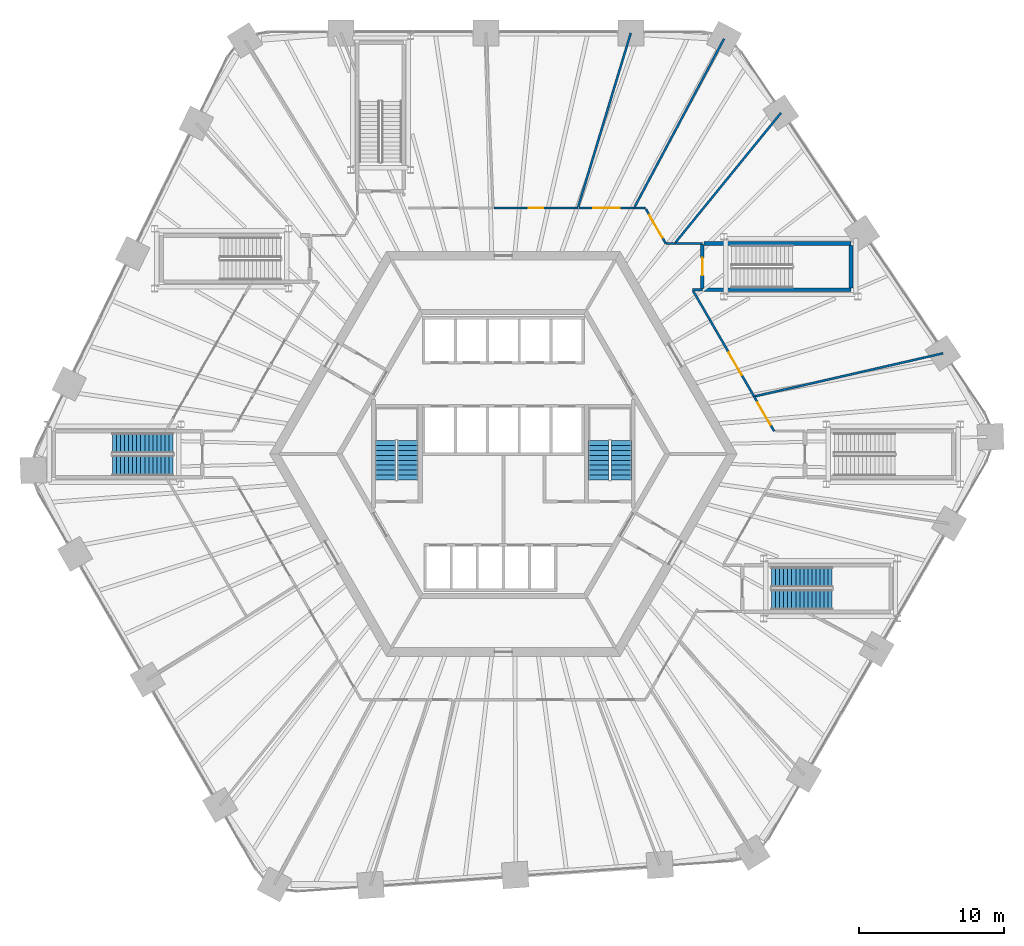
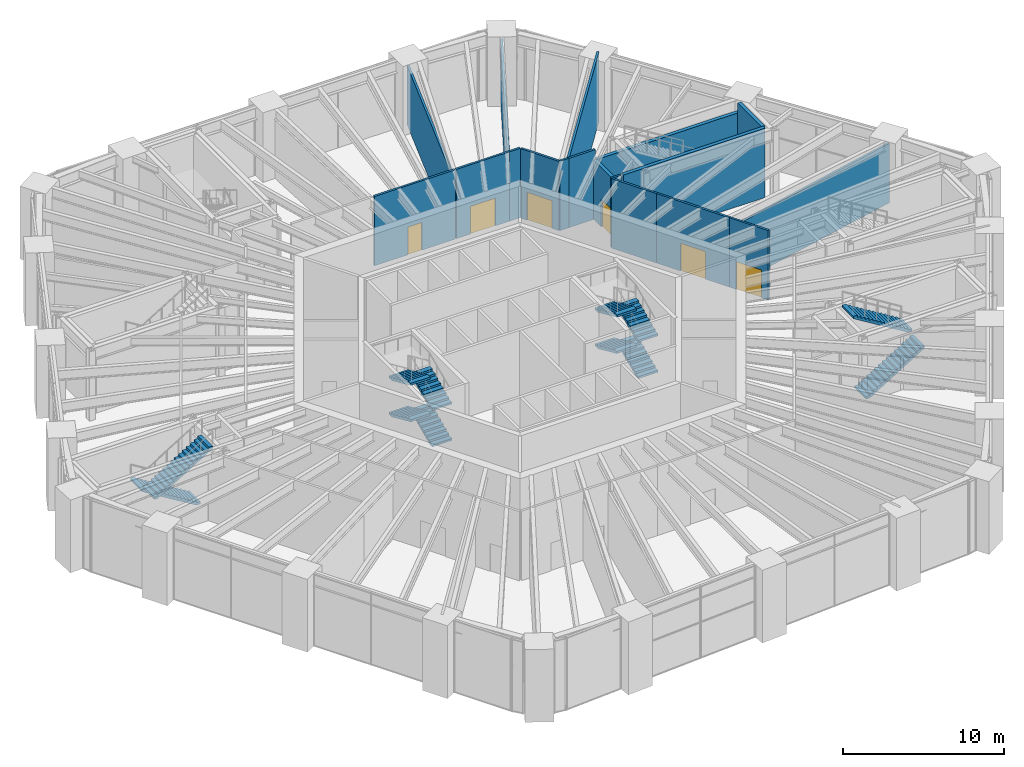
# One storey, part 25 of 30: 18 walls, 12 stair flights, 6 doors, 6 openings, 4 elements without a shape of their own.
"""IFC4 building model written with IfcOpenShell, lengths in metres."""

from ifc_helpers import new_model, si_unit, direction, frame, frame_2d, origin, place, context, subcontext, project, spatial, polyline, rectangle, outline, extrude, material, layer, layer_set, type_object, element, fill, aggregate, save


model = new_model("IFC4")

# Units and contexts
model_context = context("Model", 3, precision=1e-05, world=origin(), true_north=direction((0.0, 1.0)))
body_context = subcontext(model_context, "Body", "Model", "MODEL_VIEW")
ifc_project = project(units=[si_unit("LENGTHUNIT", "METRE"), si_unit("AREAUNIT", "SQUARE_METRE"), si_unit("VOLUMEUNIT", "CUBIC_METRE"), si_unit("PLANEANGLEUNIT", "RADIAN"), si_unit("MASSUNIT", "GRAM", prefix="KILO")], contexts=[model_context])

# Site, building, storey
site_placement = place(None, origin())
site = spatial("IfcSite", under=ifc_project, at=site_placement, CompositionType="ELEMENT")
building_placement = place(site_placement, origin())
building = spatial("IfcBuilding", under=site, at=building_placement, Name="Tarnside Tower", CompositionType="ELEMENT")
storey_placement = place(building_placement, frame((0.0, 0.0, 15.0)))
storey = spatial("IfcBuildingStorey", under=building, at=storey_placement, Name="L02", CompositionType="ELEMENT", Elevation=15.0)

# Wall, opening, door
ifc_material_1 = material(Name="Gypsum board")
ifc_layer_1 = layer(ifc_material_1, 0.14990234375)
ifc_layer_set_1 = layer_set([ifc_layer_1], Name="Partition 150 gypsum board on metal stud")
wall_type_1 = type_object("IfcWallType", Name="Partition 150 gypsum board on metal stud", PredefinedType="PARTITIONING", material=ifc_layer_set_1)
wall_1_placement = place(storey_placement, frame((-0.633056640625, 17.0, 0.0), z_axis=(0.0, 0.0, 1.0), x_axis=(1.0, 0.0, 0.0)))
wall_1 = element("IfcWall", 1, at=wall_1_placement, inside=storey, type_object=wall_type_1, Name="Partition 047", PredefinedType="PARTITIONING", context=body_context, shape_type="SweptSolid", body=[
    extrude(rectangle(XDim=5.781005859375, YDim=0.14990234375, at=frame_2d((2.890625, 0.0))), origin(), (0.0, 0.0, 1.0), 5.25),
])
opening_1_placement = place(wall_1_placement, frame((2.390380859375, 0.0, 0.0)))
opening_1 = element("IfcOpeningElement", 2, at=opening_1_placement, cuts=wall_1, Name="Opening D1000F30", PredefinedType="OPENING", context=body_context, shape_type="SweptSolid", body=[
    extrude(rectangle(XDim=1.0, YDim=2.10009765625, at=frame_2d((0.5, 1.050048828125))), frame((0.0, 0.0849609375, 0.0), z_axis=(0.0, -1.0, 0.0), x_axis=(1.0, 0.0, 0.0)), (0.0, 0.0, 1.0), 0.169921875),
])
ifc_material_2 = material(Name="Timber door leaf", Category="wood")
door_type_1 = type_object("IfcDoorType", Name="Door 1000 x 2100 single leaf FD30S fire door", OperationType="NOTDEFINED", PredefinedType="DOOR", material=ifc_material_2)
door_1_placement = place(opening_1_placement, origin())
door_1 = element("IfcDoor", 3, at=door_1_placement, inside=storey, type_object=door_type_1, Name="Door L02-23", OperationType="SINGLE_SWING_RIGHT", OverallHeight=2.10009765625, OverallWidth=1.0, PredefinedType="DOOR", context=body_context, shape_type="SweptSolid", body=[
    extrude(rectangle(XDim=1.0, YDim=2.10009765625, at=frame_2d((0.5, 1.050048828125))), frame((0.0, 0.02490234375, 0.0), z_axis=(0.0, -1.0, 0.0), x_axis=(1.0, 0.0, 0.0)), (0.0, 0.0, 1.0), 0.050048828125),
])
fill(opening_1, door_1)

# Wall
wall_2_placement = place(storey_placement, frame((5.170654296875, 17.074951171875, 0.0), z_axis=(0.0, 0.0, 1.0), x_axis=(0.289887131616, 0.957060839719, 0.0)))
element("IfcWall", 4, at=wall_2_placement, inside=storey, type_object=wall_type_1, Name="Partition 048", PredefinedType="PARTITIONING", context=body_context, shape_type="SweptSolid", body=[
    extrude(rectangle(XDim=12.564697265625, YDim=0.14990234375, at=frame_2d((6.2822265625, 0.0))), origin(), (0.0, 0.0, 1.0), 4.49609375),
])

# Wall, opening, door
wall_3_placement = place(storey_placement, frame((5.226318359375, 17.0, 0.0), z_axis=(0.0, 0.0, 1.0), x_axis=(1.0, 0.0, 0.0)))
wall_3 = element("IfcWall", 5, at=wall_3_placement, inside=storey, type_object=wall_type_1, Name="Partition 050", PredefinedType="PARTITIONING", context=body_context, shape_type="SweptSolid", body=[
    extrude(rectangle(XDim=3.812744140625, YDim=0.14990234375, at=frame_2d((1.90625, 0.0))), origin(), (0.0, 0.0, 1.0), 5.25),
])
opening_2_placement = place(wall_3_placement, frame((1.00634765625, 0.0, 0.0)))
opening_2 = element("IfcOpeningElement", 6, at=opening_2_placement, cuts=wall_3, Name="Opening D1800F30", PredefinedType="OPENING", context=body_context, shape_type="SweptSolid", body=[
    extrude(rectangle(XDim=1.800048828125, YDim=2.10009765625, at=frame_2d((0.89990234375, 1.050048828125))), frame((0.0, 0.0849609375, 0.0), z_axis=(0.0, -1.0, 0.0), x_axis=(1.0, 0.0, 0.0)), (0.0, 0.0, 1.0), 0.169921875),
])
door_type_2 = type_object("IfcDoorType", Name="Door pair 1800 x 2100 FD30S fire door", OperationType="NOTDEFINED", PredefinedType="DOOR", material=ifc_material_2)
door_2_placement = place(opening_2_placement, origin())
door_2 = element("IfcDoor", 7, at=door_2_placement, inside=storey, type_object=door_type_2, Name="Door L02-25", OperationType="DOUBLE_DOOR_SINGLE_SWING", OverallHeight=2.10009765625, OverallWidth=1.800048828125, PredefinedType="DOOR", context=body_context, shape_type="SweptSolid", body=[
    extrude(rectangle(XDim=1.800048828125, YDim=2.10009765625, at=frame_2d((0.89990234375, 1.050048828125))), frame((0.0, 0.02490234375, 0.0), z_axis=(0.0, -1.0, 0.0), x_axis=(1.0, 0.0, 0.0)), (0.0, 0.0, 1.0), 0.050048828125),
])
fill(opening_2, door_2)

# Wall
wall_4_placement = place(storey_placement, frame((9.81494140625, 17.0, 0.0), z_axis=(0.0, 0.0, 1.0), x_axis=(-1.0, 0.0, 0.0)))
element("IfcWall", 8, at=wall_4_placement, inside=storey, type_object=wall_type_1, Name="Partition 052", PredefinedType="PARTITIONING", context=body_context, shape_type="SweptSolid", body=[
    extrude(rectangle(XDim=0.77587890625, YDim=0.14990234375, at=frame_2d((0.387939453125, 0.0))), origin(), (0.0, 0.0, 1.0), 5.25),
])

# Wall, opening, door
wall_5_placement = place(storey_placement, frame((9.8583984375, 16.925048828125, 0.0), z_axis=(0.0, 0.0, 1.0), x_axis=(0.499835495421, -0.866120359718, 0.0)))
wall_5 = element("IfcWall", 9, at=wall_5_placement, inside=storey, type_object=wall_type_1, Name="Partition 055", PredefinedType="PARTITIONING", context=body_context, shape_type="SweptSolid", body=[
    extrude(rectangle(XDim=2.7421875, YDim=0.14990234375, at=frame_2d((1.37109375, 0.0))), origin(), (0.0, 0.0, 1.0), 5.25),
])
opening_3_placement = place(wall_5_placement, frame((0.47119140625, 0.0, 0.0)))
opening_3 = element("IfcOpeningElement", 10, at=opening_3_placement, cuts=wall_5, Name="Opening D1800F30", PredefinedType="OPENING", context=body_context, shape_type="SweptSolid", body=[
    extrude(rectangle(XDim=1.800048828125, YDim=2.10009765625, at=frame_2d((0.89990234375, 1.050048828125))), frame((0.0, 0.0849609375, 0.0), z_axis=(0.0, -1.0, 0.0), x_axis=(1.0, 0.0, 0.0)), (0.0, 0.0, 1.0), 0.169921875),
])
door_3_placement = place(opening_3_placement, origin())
door_3 = element("IfcDoor", 11, at=door_3_placement, inside=storey, type_object=door_type_2, Name="Door L02-27", OperationType="DOUBLE_DOOR_SINGLE_SWING", OverallHeight=2.10009765625, OverallWidth=1.800048828125, PredefinedType="DOOR", context=body_context, shape_type="SweptSolid", body=[
    extrude(rectangle(XDim=1.800048828125, YDim=2.10009765625, at=frame_2d((0.89990234375, 1.050048828125))), frame((0.0, 0.02490234375, 0.0), z_axis=(0.0, -1.0, 0.0), x_axis=(1.0, 0.0, 0.0)), (0.0, 0.0, 1.0), 0.050048828125),
])
fill(opening_3, door_3)

# Walls
wall_6_placement = place(storey_placement, frame((11.22998046875, 14.550048828125, 0.0), z_axis=(0.0, 0.0, 1.0), x_axis=(1.0, 0.0, 0.0)))
element("IfcWall", 12, at=wall_6_placement, inside=storey, type_object=wall_type_1, Name="Partition 056", PredefinedType="PARTITIONING", context=body_context, shape_type="SweptSolid", body=[
    extrude(rectangle(XDim=0.62890625, YDim=0.14990234375, at=frame_2d((0.314453125, 0.0))), origin(), (0.0, 0.0, 1.0), 5.25),
])
wall_7_placement = place(storey_placement, frame((11.8359375, 14.550048828125, 0.0), z_axis=(0.0, 0.0, 1.0), x_axis=(1.0, 0.0, 0.0)))
element("IfcWall", 13, at=wall_7_placement, inside=storey, type_object=wall_type_1, Name="Partition 057", PredefinedType="PARTITIONING", context=body_context, shape_type="SweptSolid", body=[
    extrude(rectangle(XDim=1.928955078125, YDim=0.14990234375, at=frame_2d((0.96435546875, 0.0))), origin(), (0.0, 0.0, 1.0), 5.25),
])
wall_8_placement = place(storey_placement, frame((13.764892578125, 11.35009765625, 0.0), z_axis=(0.0, 0.0, 1.0), x_axis=(-1.0, 0.0, 0.0)))
element("IfcWall", 14, at=wall_8_placement, inside=storey, type_object=wall_type_1, Name="Partition 059", PredefinedType="PARTITIONING", context=body_context, shape_type="SweptSolid", body=[
    extrude(rectangle(XDim=0.68798828125, YDim=0.14990234375, at=frame_2d((0.343994140625, 0.0))), origin(), (0.0, 0.0, 1.0), 5.25),
])
wall_9_placement = place(storey_placement, frame((14.722900390625, 8.5, 0.0), z_axis=(0.0, 0.0, 1.0), x_axis=(-0.500104956678, 0.865964798538, 0.0)))
element("IfcWall", 15, at=wall_9_placement, inside=storey, type_object=wall_type_1, Name="Partition 062", PredefinedType="PARTITIONING", context=body_context, shape_type="SweptSolid", body=[
    extrude(rectangle(XDim=3.204345703125, YDim=0.14990234375, at=frame_2d((1.60205078125, 0.0))), origin(), (0.0, 0.0, 1.0), 5.25),
])
wall_10_placement = place(storey_placement, frame((15.260986328125, 28.700927734375, 0.0), z_axis=(0.0, 0.0, 1.0), x_axis=(-0.469500426527, -0.882932245131, 0.0)))
element("IfcWall", 16, at=wall_10_placement, inside=storey, type_object=wall_type_1, Name="Partition 065", PredefinedType="PARTITIONING", context=body_context, shape_type="SweptSolid", body=[
    extrude(rectangle(XDim=13.16748046875, YDim=0.14990234375, at=frame_2d((6.583740234375, 0.0))), origin(), (0.0, 0.0, 1.0), 4.48779296875),
])

# Wall, opening, door
wall_11_placement = place(storey_placement, frame((14.722900390625, 8.5, 0.0), z_axis=(0.0, 0.0, 1.0), x_axis=(0.499952654668, -0.866052736899, 0.0)))
wall_11 = element("IfcWall", 17, at=wall_11_placement, inside=storey, type_object=wall_type_1, Name="Partition 070", PredefinedType="PARTITIONING", context=body_context, shape_type="SweptSolid", body=[
    extrude(rectangle(XDim=5.23291015625, YDim=0.14990234375, at=frame_2d((2.616455078125, 0.0))), origin(), (0.0, 0.0, 1.0), 5.25),
])
opening_4_placement = place(wall_11_placement, frame((1.71630859375, 0.0, 0.0)))
opening_4 = element("IfcOpeningElement", 18, at=opening_4_placement, cuts=wall_11, Name="Opening D1800F30", PredefinedType="OPENING", context=body_context, shape_type="SweptSolid", body=[
    extrude(rectangle(XDim=1.800048828125, YDim=2.10009765625, at=frame_2d((0.89990234375, 1.050048828125))), frame((0.0, 0.0849609375, 0.0), z_axis=(0.0, -1.0, 0.0), x_axis=(1.0, 0.0, 0.0)), (0.0, 0.0, 1.0), 0.169921875),
])
door_4_placement = place(opening_4_placement, origin())
door_4 = element("IfcDoor", 19, at=door_4_placement, inside=storey, type_object=door_type_2, Name="Door L02-32", OperationType="DOUBLE_DOOR_SINGLE_SWING", OverallHeight=2.10009765625, OverallWidth=1.800048828125, PredefinedType="DOOR", context=body_context, shape_type="SweptSolid", body=[
    extrude(rectangle(XDim=1.800048828125, YDim=2.10009765625, at=frame_2d((0.89990234375, 1.050048828125))), frame((0.0, 0.02490234375, 0.0), z_axis=(0.0, -1.0, 0.0), x_axis=(1.0, 0.0, 0.0)), (0.0, 0.0, 1.0), 0.050048828125),
])
fill(opening_4, door_4)

wall_12_placement = place(storey_placement, frame((17.339111328125, 3.968017578125, 0.0), z_axis=(0.0, 0.0, 1.0), x_axis=(0.500053847239, -0.865994312834, 0.0)))
wall_12 = element("IfcWall", 20, at=wall_12_placement, inside=storey, type_object=wall_type_1, Name="Partition 072", PredefinedType="PARTITIONING", context=body_context, shape_type="SweptSolid", body=[
    extrude(rectangle(XDim=2.763427734375, YDim=0.14990234375, at=frame_2d((1.3818359375, 0.0))), origin(), (0.0, 0.0, 1.0), 5.25),
])
opening_5_placement = place(wall_12_placement, frame((0.481689453125, 0.0, 0.0)))
opening_5 = element("IfcOpeningElement", 21, at=opening_5_placement, cuts=wall_12, Name="Opening D1800F30", PredefinedType="OPENING", context=body_context, shape_type="SweptSolid", body=[
    extrude(rectangle(XDim=1.800048828125, YDim=2.10009765625, at=frame_2d((0.89990234375, 1.050048828125))), frame((0.0, 0.0849609375, 0.0), z_axis=(0.0, -1.0, 0.0), x_axis=(1.0, 0.0, 0.0)), (0.0, 0.0, 1.0), 0.169921875),
])
door_5_placement = place(opening_5_placement, origin())
door_5 = element("IfcDoor", 22, at=door_5_placement, inside=storey, type_object=door_type_2, Name="Door L02-33", OperationType="DOUBLE_DOOR_SINGLE_SWING", OverallHeight=2.10009765625, OverallWidth=1.800048828125, PredefinedType="DOOR", context=body_context, shape_type="SweptSolid", body=[
    extrude(rectangle(XDim=1.800048828125, YDim=2.10009765625, at=frame_2d((0.89990234375, 1.050048828125))), frame((0.0, 0.02490234375, 0.0), z_axis=(0.0, -1.0, 0.0), x_axis=(1.0, 0.0, 0.0)), (0.0, 0.0, 1.0), 0.050048828125),
])
fill(opening_5, door_5)

# Walls
wall_13_placement = place(storey_placement, frame((19.197021484375, 23.577880859375, 0.0), z_axis=(0.0, 0.0, 1.0), x_axis=(-0.631417805909, -0.775442811805, 0.0)))
element("IfcWall", 23, at=wall_13_placement, inside=storey, type_object=wall_type_1, Name="Partition 074", PredefinedType="PARTITIONING", context=body_context, shape_type="SweptSolid", body=[
    extrude(rectangle(XDim=11.54541015625, YDim=0.14990234375, at=frame_2d((5.772705078125, 0.0))), origin(), (0.0, 0.0, 1.0), 5.25),
])
wall_14_placement = place(storey_placement, frame((30.406982421875, 6.9580078125, 0.0), z_axis=(0.0, 0.0, 1.0), x_axis=(-0.974810618682, -0.223034207477, 0.0)))
element("IfcWall", 24, at=wall_14_placement, inside=storey, type_object=wall_type_1, Name="Partition 085", PredefinedType="PARTITIONING", context=body_context, shape_type="SweptSolid", body=[
    extrude(rectangle(XDim=13.3271484375, YDim=0.14990234375, at=frame_2d((6.66357421875, 0.0))), origin(), (0.0, 0.0, 1.0), 4.48779296875),
])

# Wall, opening, door
ifc_material_3 = material(Name="Concrete C32/40", Category="concrete")
ifc_layer_2 = layer(ifc_material_3, 0.25)
ifc_layer_set_2 = layer_set([ifc_layer_2], Name="Wall 250 reinforced Concrete C32/40")
wall_type_2 = type_object("IfcWallType", Name="Wall 250 reinforced Concrete C32/40", PredefinedType="PARTITIONING", material=ifc_layer_set_2)
wall_15_placement = place(storey_placement, frame((13.764892578125, 11.425048828125, 0.0), z_axis=(0.0, 0.0, 1.0), x_axis=(0.0, 1.0, 0.0)))
wall_15 = element("IfcWall", 25, at=wall_15_placement, inside=storey, type_object=wall_type_2, Name="Partition 060", PredefinedType="PARTITIONING", context=body_context, shape_type="SweptSolid", body=[
    extrude(rectangle(XDim=3.050048828125, YDim=0.25, at=frame_2d((1.52490234375, 0.0))), origin(), (0.0, 0.0, 1.0), 4.49609375),
])
opening_6_placement = place(wall_15_placement, frame((0.925048828125, 0.0, 0.0)))
opening_6 = element("IfcOpeningElement", 26, at=opening_6_placement, cuts=wall_15, Name="Opening D1200F60S", PredefinedType="OPENING", context=body_context, shape_type="SweptSolid", body=[
    extrude(rectangle(XDim=1.199951171875, YDim=2.10009765625, at=frame_2d((0.60009765625, 1.050048828125))), frame((0.0, 0.135009765625, 0.0), z_axis=(0.0, -1.0, 0.0), x_axis=(1.0, 0.0, 0.0)), (0.0, 0.0, 1.0), 0.27001953125),
])
door_type_3 = type_object("IfcDoorType", Name="Door 1200 x 2100 single leaf FD60S fire door", OperationType="NOTDEFINED", PredefinedType="DOOR", material=ifc_material_2)
door_6_placement = place(opening_6_placement, origin())
door_6 = element("IfcDoor", 27, at=door_6_placement, inside=storey, type_object=door_type_3, Name="Door L02-28", OperationType="SINGLE_SWING_LEFT", OverallHeight=2.10009765625, OverallWidth=1.199951171875, PredefinedType="DOOR", context=body_context, shape_type="SweptSolid", body=[
    extrude(rectangle(XDim=1.199951171875, YDim=2.10009765625, at=frame_2d((0.60009765625, 1.050048828125))), frame((0.0, 0.02490234375, 0.0), z_axis=(0.0, -1.0, 0.0), x_axis=(1.0, 0.0, 0.0)), (0.0, 0.0, 1.0), 0.050048828125),
])
fill(opening_6, door_6)

# Walls
wall_16_placement = place(storey_placement, frame((13.889892578125, 14.550048828125, 0.0), z_axis=(0.0, 0.0, 1.0), x_axis=(1.0, 0.0, 0.0)))
element("IfcWall", 28, at=wall_16_placement, inside=storey, type_object=wall_type_2, Name="Partition 061", PredefinedType="PARTITIONING", context=body_context, shape_type="SweptSolid", body=[
    extrude(rectangle(XDim=10.14501953125, YDim=0.25, at=frame_2d((5.072509765625, 0.0))), origin(), (0.0, 0.0, 1.0), 4.49609375),
])
wall_17_placement = place(storey_placement, frame((24.034912109375, 11.35009765625, 0.0), z_axis=(0.0, 0.0, 1.0), x_axis=(-1.0, 0.0, 0.0)))
element("IfcWall", 29, at=wall_17_placement, inside=storey, type_object=wall_type_2, Name="Partition 080", PredefinedType="PARTITIONING", context=body_context, shape_type="SweptSolid", body=[
    extrude(rectangle(XDim=10.14501953125, YDim=0.25, at=frame_2d((5.072509765625, 0.0))), origin(), (0.0, 0.0, 1.0), 5.25),
])
wall_18_placement = place(storey_placement, frame((24.034912109375, 14.425048828125, 0.0), z_axis=(0.0, 0.0, 1.0), x_axis=(0.0, -1.0, 0.0)))
element("IfcWall", 30, at=wall_18_placement, inside=storey, type_object=wall_type_2, Name="Partition 081", PredefinedType="PARTITIONING", context=body_context, shape_type="SweptSolid", body=[
    extrude(rectangle(XDim=2.949951171875, YDim=0.25, at=frame_2d((1.47509765625, 0.0))), origin(), (0.0, 0.0, 1.0), 5.25),
])

# Stair, stair flights
ifc_material_4 = material(Name="Concrete C40/50", Category="concrete")
stair_type_1 = type_object("IfcStairType", Name="Exit stair 1400 clear", PredefinedType="HALF_TURN_STAIR", material=ifc_material_4)
stair_1_placement = place(storey_placement, origin())
stair_1 = element("IfcStair", 31, at=stair_1_placement, inside=storey, type_object=stair_type_1, Name="L02 Exit stair 1", PredefinedType="HALF_TURN_STAIR")
stair_flight_type_1 = type_object("IfcStairFlightType", Name="Exit stair flight 1400", PredefinedType="STRAIGHT", material=ifc_material_4)
stair_flight_1_placement = place(storey_placement, frame((8.14990234375, -1.800048828125, 0.0), z_axis=(0.0, 0.0, 1.0), x_axis=(0.0, 1.0, 0.0)))
stair_flight_1 = element("IfcStairFlight", 32, at=stair_flight_1_placement, type_object=stair_flight_type_1, Name="ST1 flight 1", NumberOfRisers=9, NumberOfTreads=8, PredefinedType="STRAIGHT", RiserHeight=0.152777778, TreadLength=0.34, context=body_context, shape_type="SweptSolid", body=[
    extrude(outline(polyline([(0.0, 0.0), (0.0, 0.15283203125), (0.340087890625, 0.15283203125), (0.340087890625, 0.3056640625), (0.679931640625, 0.3056640625), (0.679931640625, 0.458251953125), (1.02001953125, 0.458251953125), (1.02001953125, 0.611083984375), (1.360107421875, 0.611083984375), (1.360107421875, 0.763916015625), (1.699951171875, 0.763916015625), (1.699951171875, 0.916748046875), (2.0400390625, 0.916748046875), (2.0400390625, 1.0693359375), (2.3798828125, 1.0693359375), (2.3798828125, 1.22216796875), (2.719970703125, 1.22216796875), (2.719970703125, 1.375), (2.719970703125, 1.057861328125), (0.36572265625, 0.0), (0.0, 0.0)])), frame((0.0, 0.699951171875, 0.0), z_axis=(0.0, -1.0, 0.0), x_axis=(1.0, 0.0, 0.0)), (0.0, 0.0, 1.0), 1.39990234375),
])
stair_flight_2_placement = place(storey_placement, frame((6.60009765625, 0.919921875, 1.375), z_axis=(0.0, 0.0, 1.0), x_axis=(0.0, -1.0, 0.0)))
stair_flight_2 = element("IfcStairFlight", 33, at=stair_flight_2_placement, type_object=stair_flight_type_1, Name="ST1 flight 2", NumberOfRisers=9, NumberOfTreads=8, PredefinedType="STRAIGHT", RiserHeight=0.152777778, TreadLength=0.34, context=body_context, shape_type="SweptSolid", body=[
    extrude(outline(polyline([(0.0, 0.0), (0.0, 0.15283203125), (0.340087890625, 0.15283203125), (0.340087890625, 0.3056640625), (0.679931640625, 0.3056640625), (0.679931640625, 0.458251953125), (1.02001953125, 0.458251953125), (1.02001953125, 0.611083984375), (1.360107421875, 0.611083984375), (1.360107421875, 0.763916015625), (1.699951171875, 0.763916015625), (1.699951171875, 0.916748046875), (2.0400390625, 0.916748046875), (2.0400390625, 1.0693359375), (2.3798828125, 1.0693359375), (2.3798828125, 1.22216796875), (2.719970703125, 1.22216796875), (2.719970703125, 1.375), (2.719970703125, 1.057861328125), (0.36572265625, 0.0), (0.0, 0.0)])), frame((0.0, 0.699951171875, 0.0), z_axis=(0.0, -1.0, 0.0), x_axis=(1.0, 0.0, 0.0)), (0.0, 0.0, 1.0), 1.39990234375),
])
stair_flight_3_placement = place(storey_placement, frame((8.14990234375, -1.800048828125, 2.75), z_axis=(0.0, 0.0, 1.0), x_axis=(0.0, 1.0, 0.0)))
stair_flight_3 = element("IfcStairFlight", 34, at=stair_flight_3_placement, type_object=stair_flight_type_1, Name="ST1 flight 3", NumberOfRisers=9, NumberOfTreads=8, PredefinedType="STRAIGHT", RiserHeight=0.152777778, TreadLength=0.34, context=body_context, shape_type="SweptSolid", body=[
    extrude(outline(polyline([(0.0, 0.0), (0.0, 0.15283203125), (0.340087890625, 0.15283203125), (0.340087890625, 0.3056640625), (0.679931640625, 0.3056640625), (0.679931640625, 0.458251953125), (1.02001953125, 0.458251953125), (1.02001953125, 0.611083984375), (1.360107421875, 0.611083984375), (1.360107421875, 0.763916015625), (1.699951171875, 0.763916015625), (1.699951171875, 0.916748046875), (2.0400390625, 0.916748046875), (2.0400390625, 1.0693359375), (2.3798828125, 1.0693359375), (2.3798828125, 1.22216796875), (2.719970703125, 1.22216796875), (2.719970703125, 1.375), (2.719970703125, 1.057861328125), (0.36572265625, 0.0), (0.0, 0.0)])), frame((0.0, 0.699951171875, 0.0), z_axis=(0.0, -1.0, 0.0), x_axis=(1.0, 0.0, 0.0)), (0.0, 0.0, 1.0), 1.39990234375),
])
stair_flight_4_placement = place(storey_placement, frame((6.60009765625, 0.919921875, 4.125), z_axis=(0.0, 0.0, 1.0), x_axis=(0.0, -1.0, 0.0)))
stair_flight_4 = element("IfcStairFlight", 35, at=stair_flight_4_placement, type_object=stair_flight_type_1, Name="ST1 flight 4", NumberOfRisers=9, NumberOfTreads=8, PredefinedType="STRAIGHT", RiserHeight=0.152777778, TreadLength=0.34, context=body_context, shape_type="SweptSolid", body=[
    extrude(outline(polyline([(0.0, 0.0), (0.0, 0.15283203125), (0.340087890625, 0.15283203125), (0.340087890625, 0.3056640625), (0.679931640625, 0.3056640625), (0.679931640625, 0.458251953125), (1.02001953125, 0.458251953125), (1.02001953125, 0.611083984375), (1.360107421875, 0.611083984375), (1.360107421875, 0.763916015625), (1.699951171875, 0.763916015625), (1.699951171875, 0.916748046875), (2.0400390625, 0.916748046875), (2.0400390625, 1.0693359375), (2.3798828125, 1.0693359375), (2.3798828125, 1.22216796875), (2.719970703125, 1.22216796875), (2.719970703125, 1.375), (2.719970703125, 1.057861328125), (0.36572265625, 0.0), (0.0, 0.0)])), frame((0.0, 0.699951171875, 0.0), z_axis=(0.0, -1.0, 0.0), x_axis=(1.0, 0.0, 0.0)), (0.0, 0.0, 1.0), 1.39990234375),
])
aggregate(stair_1, [stair_flight_1, stair_flight_2, stair_flight_3, stair_flight_4])

stair_2_placement = place(storey_placement, origin())
stair_2 = element("IfcStair", 36, at=stair_2_placement, inside=storey, type_object=stair_type_1, Name="L02 Exit stair 2", PredefinedType="HALF_TURN_STAIR")
stair_flight_5_placement = place(storey_placement, frame((-6.60009765625, -1.800048828125, 0.0), z_axis=(0.0, 0.0, 1.0), x_axis=(0.0, 1.0, 0.0)))
stair_flight_5 = element("IfcStairFlight", 37, at=stair_flight_5_placement, type_object=stair_flight_type_1, Name="ST2 flight 1", NumberOfRisers=9, NumberOfTreads=8, PredefinedType="STRAIGHT", RiserHeight=0.152777778, TreadLength=0.34, context=body_context, shape_type="SweptSolid", body=[
    extrude(outline(polyline([(0.0, 0.0), (0.0, 0.15283203125), (0.340087890625, 0.15283203125), (0.340087890625, 0.3056640625), (0.679931640625, 0.3056640625), (0.679931640625, 0.458251953125), (1.02001953125, 0.458251953125), (1.02001953125, 0.611083984375), (1.360107421875, 0.611083984375), (1.360107421875, 0.763916015625), (1.699951171875, 0.763916015625), (1.699951171875, 0.916748046875), (2.0400390625, 0.916748046875), (2.0400390625, 1.0693359375), (2.3798828125, 1.0693359375), (2.3798828125, 1.22216796875), (2.719970703125, 1.22216796875), (2.719970703125, 1.375), (2.719970703125, 1.057861328125), (0.36572265625, 0.0), (0.0, 0.0)])), frame((0.0, 0.699951171875, 0.0), z_axis=(0.0, -1.0, 0.0), x_axis=(1.0, 0.0, 0.0)), (0.0, 0.0, 1.0), 1.39990234375),
])
stair_flight_6_placement = place(storey_placement, frame((-8.14990234375, 0.919921875, 1.375), z_axis=(0.0, 0.0, 1.0), x_axis=(0.0, -1.0, 0.0)))
stair_flight_6 = element("IfcStairFlight", 38, at=stair_flight_6_placement, type_object=stair_flight_type_1, Name="ST2 flight 2", NumberOfRisers=9, NumberOfTreads=8, PredefinedType="STRAIGHT", RiserHeight=0.152777778, TreadLength=0.34, context=body_context, shape_type="SweptSolid", body=[
    extrude(outline(polyline([(0.0, 0.0), (0.0, 0.15283203125), (0.340087890625, 0.15283203125), (0.340087890625, 0.3056640625), (0.679931640625, 0.3056640625), (0.679931640625, 0.458251953125), (1.02001953125, 0.458251953125), (1.02001953125, 0.611083984375), (1.360107421875, 0.611083984375), (1.360107421875, 0.763916015625), (1.699951171875, 0.763916015625), (1.699951171875, 0.916748046875), (2.0400390625, 0.916748046875), (2.0400390625, 1.0693359375), (2.3798828125, 1.0693359375), (2.3798828125, 1.22216796875), (2.719970703125, 1.22216796875), (2.719970703125, 1.375), (2.719970703125, 1.057861328125), (0.36572265625, 0.0), (0.0, 0.0)])), frame((0.0, 0.699951171875, 0.0), z_axis=(0.0, -1.0, 0.0), x_axis=(1.0, 0.0, 0.0)), (0.0, 0.0, 1.0), 1.39990234375),
])
stair_flight_7_placement = place(storey_placement, frame((-6.60009765625, -1.800048828125, 2.75), z_axis=(0.0, 0.0, 1.0), x_axis=(0.0, 1.0, 0.0)))
stair_flight_7 = element("IfcStairFlight", 39, at=stair_flight_7_placement, type_object=stair_flight_type_1, Name="ST2 flight 3", NumberOfRisers=9, NumberOfTreads=8, PredefinedType="STRAIGHT", RiserHeight=0.152777778, TreadLength=0.34, context=body_context, shape_type="SweptSolid", body=[
    extrude(outline(polyline([(0.0, 0.0), (0.0, 0.15283203125), (0.340087890625, 0.15283203125), (0.340087890625, 0.3056640625), (0.679931640625, 0.3056640625), (0.679931640625, 0.458251953125), (1.02001953125, 0.458251953125), (1.02001953125, 0.611083984375), (1.360107421875, 0.611083984375), (1.360107421875, 0.763916015625), (1.699951171875, 0.763916015625), (1.699951171875, 0.916748046875), (2.0400390625, 0.916748046875), (2.0400390625, 1.0693359375), (2.3798828125, 1.0693359375), (2.3798828125, 1.22216796875), (2.719970703125, 1.22216796875), (2.719970703125, 1.375), (2.719970703125, 1.057861328125), (0.36572265625, 0.0), (0.0, 0.0)])), frame((0.0, 0.699951171875, 0.0), z_axis=(0.0, -1.0, 0.0), x_axis=(1.0, 0.0, 0.0)), (0.0, 0.0, 1.0), 1.39990234375),
])
stair_flight_8_placement = place(storey_placement, frame((-8.14990234375, 0.919921875, 4.125), z_axis=(0.0, 0.0, 1.0), x_axis=(0.0, -1.0, 0.0)))
stair_flight_8 = element("IfcStairFlight", 40, at=stair_flight_8_placement, type_object=stair_flight_type_1, Name="ST2 flight 4", NumberOfRisers=9, NumberOfTreads=8, PredefinedType="STRAIGHT", RiserHeight=0.152777778, TreadLength=0.34, context=body_context, shape_type="SweptSolid", body=[
    extrude(outline(polyline([(0.0, 0.0), (0.0, 0.15283203125), (0.340087890625, 0.15283203125), (0.340087890625, 0.3056640625), (0.679931640625, 0.3056640625), (0.679931640625, 0.458251953125), (1.02001953125, 0.458251953125), (1.02001953125, 0.611083984375), (1.360107421875, 0.611083984375), (1.360107421875, 0.763916015625), (1.699951171875, 0.763916015625), (1.699951171875, 0.916748046875), (2.0400390625, 0.916748046875), (2.0400390625, 1.0693359375), (2.3798828125, 1.0693359375), (2.3798828125, 1.22216796875), (2.719970703125, 1.22216796875), (2.719970703125, 1.375), (2.719970703125, 1.057861328125), (0.36572265625, 0.0), (0.0, 0.0)])), frame((0.0, 0.699951171875, 0.0), z_axis=(0.0, -1.0, 0.0), x_axis=(1.0, 0.0, 0.0)), (0.0, 0.0, 1.0), 1.39990234375),
])
aggregate(stair_2, [stair_flight_5, stair_flight_6, stair_flight_7, stair_flight_8])

stair_type_2 = type_object("IfcStairType", Name="Podium exit stair 1400 clear", PredefinedType="HALF_TURN_STAIR", material=ifc_material_4)
stair_3_placement = place(storey_placement, origin())
stair_3 = element("IfcStair", 41, at=stair_3_placement, inside=storey, type_object=stair_type_2, Name="L02 Podium exit stair 2", PredefinedType="HALF_TURN_STAIR")
stair_flight_type_2 = type_object("IfcStairFlightType", Name="Podium exit stair flight 1400", PredefinedType="STRAIGHT", material=ifc_material_4)
stair_flight_9_placement = place(storey_placement, frame((-22.830078125, 0.75, 0.0), z_axis=(0.0, 0.0, 1.0), x_axis=(-1.0, 0.0, 0.0)))
stair_flight_9 = element("IfcStairFlight", 42, at=stair_flight_9_placement, type_object=stair_flight_type_2, Name="PS2 flight 1", NumberOfRisers=16, NumberOfTreads=15, PredefinedType="STRAIGHT", RiserHeight=0.171875, TreadLength=0.28, context=body_context, shape_type="SweptSolid", body=[
    extrude(outline(polyline([(0.0, 0.0), (0.0, 0.171875), (0.280029296875, 0.171875), (0.280029296875, 0.34375), (0.56005859375, 0.34375), (0.56005859375, 0.515625), (0.840087890625, 0.515625), (0.840087890625, 0.6875), (1.1201171875, 0.6875), (1.1201171875, 0.859375), (1.39990234375, 0.859375), (1.39990234375, 1.03125), (1.679931640625, 1.03125), (1.679931640625, 1.203125), (1.9599609375, 1.203125), (1.9599609375, 1.375), (2.239990234375, 1.375), (2.239990234375, 1.546875), (2.52001953125, 1.546875), (2.52001953125, 1.71875), (2.800048828125, 1.71875), (2.800048828125, 1.890625), (3.080078125, 1.890625), (3.080078125, 2.0625), (3.360107421875, 2.0625), (3.360107421875, 2.234375), (3.639892578125, 2.234375), (3.639892578125, 2.40625), (3.919921875, 2.40625), (3.919921875, 2.578125), (4.199951171875, 2.578125), (4.199951171875, 2.75), (4.199951171875, 2.40234375), (0.28662109375, 0.0), (0.0, 0.0)])), frame((0.0, 0.699951171875, 0.0), z_axis=(0.0, -1.0, 0.0), x_axis=(1.0, 0.0, 0.0)), (0.0, 0.0, 1.0), 1.39990234375),
])
stair_flight_10_placement = place(storey_placement, frame((-27.030029296875, -0.800048828125, 2.75), z_axis=(0.0, 0.0, 1.0), x_axis=(1.0, 0.0, 0.0)))
stair_flight_10 = element("IfcStairFlight", 43, at=stair_flight_10_placement, type_object=stair_flight_type_2, Name="PS2 flight 2", NumberOfRisers=16, NumberOfTreads=15, PredefinedType="STRAIGHT", RiserHeight=0.171875, TreadLength=0.28, context=body_context, shape_type="SweptSolid", body=[
    extrude(outline(polyline([(0.0, 0.0), (0.0, 0.171875), (0.280029296875, 0.171875), (0.280029296875, 0.34375), (0.56005859375, 0.34375), (0.56005859375, 0.515625), (0.840087890625, 0.515625), (0.840087890625, 0.6875), (1.1201171875, 0.6875), (1.1201171875, 0.859375), (1.39990234375, 0.859375), (1.39990234375, 1.03125), (1.679931640625, 1.03125), (1.679931640625, 1.203125), (1.9599609375, 1.203125), (1.9599609375, 1.375), (2.239990234375, 1.375), (2.239990234375, 1.546875), (2.52001953125, 1.546875), (2.52001953125, 1.71875), (2.800048828125, 1.71875), (2.800048828125, 1.890625), (3.080078125, 1.890625), (3.080078125, 2.0625), (3.360107421875, 2.0625), (3.360107421875, 2.234375), (3.639892578125, 2.234375), (3.639892578125, 2.40625), (3.919921875, 2.40625), (3.919921875, 2.578125), (4.199951171875, 2.578125), (4.199951171875, 2.75), (4.199951171875, 2.40234375), (0.28662109375, 0.0), (0.0, 0.0)])), frame((0.0, 0.699951171875, 0.0), z_axis=(0.0, -1.0, 0.0), x_axis=(1.0, 0.0, 0.0)), (0.0, 0.0, 1.0), 1.39990234375),
])
aggregate(stair_3, [stair_flight_9, stair_flight_10])

stair_4_placement = place(storey_placement, origin())
stair_4 = element("IfcStair", 44, at=stair_4_placement, inside=storey, type_object=stair_type_2, Name="L02 Podium exit stair 5", PredefinedType="HALF_TURN_STAIR")
stair_flight_11_placement = place(storey_placement, frame((18.5400390625, -10.074951171875, 0.0), z_axis=(0.0, 0.0, 1.0), x_axis=(1.0, 0.0, 0.0)))
stair_flight_11 = element("IfcStairFlight", 45, at=stair_flight_11_placement, type_object=stair_flight_type_2, Name="PS5 flight 1", NumberOfRisers=16, NumberOfTreads=15, PredefinedType="STRAIGHT", RiserHeight=0.171875, TreadLength=0.28, context=body_context, shape_type="SweptSolid", body=[
    extrude(outline(polyline([(0.0, 0.0), (0.0, 0.171875), (0.280029296875, 0.171875), (0.280029296875, 0.34375), (0.56005859375, 0.34375), (0.56005859375, 0.515625), (0.840087890625, 0.515625), (0.840087890625, 0.6875), (1.1201171875, 0.6875), (1.1201171875, 0.859375), (1.39990234375, 0.859375), (1.39990234375, 1.03125), (1.679931640625, 1.03125), (1.679931640625, 1.203125), (1.9599609375, 1.203125), (1.9599609375, 1.375), (2.239990234375, 1.375), (2.239990234375, 1.546875), (2.52001953125, 1.546875), (2.52001953125, 1.71875), (2.800048828125, 1.71875), (2.800048828125, 1.890625), (3.080078125, 1.890625), (3.080078125, 2.0625), (3.360107421875, 2.0625), (3.360107421875, 2.234375), (3.639892578125, 2.234375), (3.639892578125, 2.40625), (3.919921875, 2.40625), (3.919921875, 2.578125), (4.199951171875, 2.578125), (4.199951171875, 2.75), (4.199951171875, 2.40234375), (0.28662109375, 0.0), (0.0, 0.0)])), frame((0.0, 0.699951171875, 0.0), z_axis=(0.0, -1.0, 0.0), x_axis=(1.0, 0.0, 0.0)), (0.0, 0.0, 1.0), 1.39990234375),
])
stair_flight_12_placement = place(storey_placement, frame((22.739990234375, -8.52490234375, 2.75), z_axis=(0.0, 0.0, 1.0), x_axis=(-1.0, 0.0, 0.0)))
stair_flight_12 = element("IfcStairFlight", 46, at=stair_flight_12_placement, type_object=stair_flight_type_2, Name="PS5 flight 2", NumberOfRisers=16, NumberOfTreads=15, PredefinedType="STRAIGHT", RiserHeight=0.171875, TreadLength=0.28, context=body_context, shape_type="SweptSolid", body=[
    extrude(outline(polyline([(0.0, 0.0), (0.0, 0.171875), (0.280029296875, 0.171875), (0.280029296875, 0.34375), (0.56005859375, 0.34375), (0.56005859375, 0.515625), (0.840087890625, 0.515625), (0.840087890625, 0.6875), (1.1201171875, 0.6875), (1.1201171875, 0.859375), (1.39990234375, 0.859375), (1.39990234375, 1.03125), (1.679931640625, 1.03125), (1.679931640625, 1.203125), (1.9599609375, 1.203125), (1.9599609375, 1.375), (2.239990234375, 1.375), (2.239990234375, 1.546875), (2.52001953125, 1.546875), (2.52001953125, 1.71875), (2.800048828125, 1.71875), (2.800048828125, 1.890625), (3.080078125, 1.890625), (3.080078125, 2.0625), (3.360107421875, 2.0625), (3.360107421875, 2.234375), (3.639892578125, 2.234375), (3.639892578125, 2.40625), (3.919921875, 2.40625), (3.919921875, 2.578125), (4.199951171875, 2.578125), (4.199951171875, 2.75), (4.199951171875, 2.40234375), (0.28662109375, 0.0), (0.0, 0.0)])), frame((0.0, 0.699951171875, 0.0), z_axis=(0.0, -1.0, 0.0), x_axis=(1.0, 0.0, 0.0)), (0.0, 0.0, 1.0), 1.39990234375),
])
aggregate(stair_4, [stair_flight_11, stair_flight_12])

save(model, "model.ifc")
